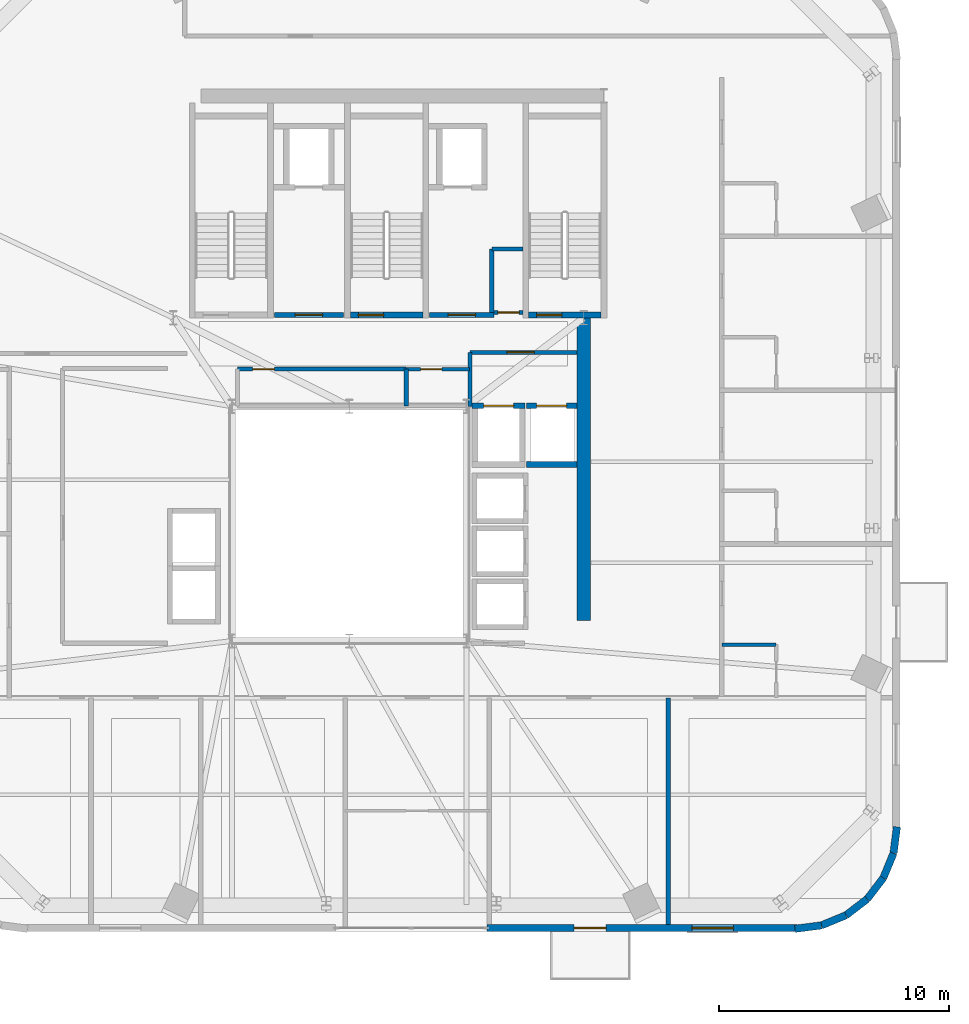
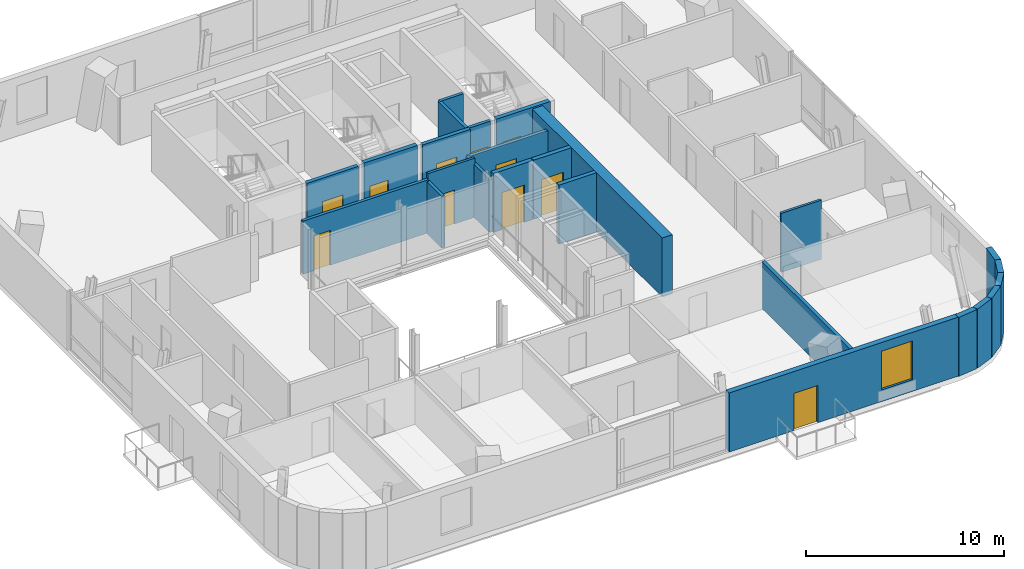
# One storey, part 7 of 14: 25 walls, 11 doors, 1 window, 12 openings.
"""IFC4 building model written with IfcOpenShell, lengths in metres."""

from ifc_helpers import new_model, si_unit, direction, frame, frame_2d, origin, place, context, subcontext, project, spatial, rectangle, extrude, source, transform, mapped, material, layer, layer_set, type_object, element, fill, save


model = new_model("IFC4")

# Units and contexts
model_context = context("Model", 3, precision=1e-05, world=origin(), true_north=direction((0.0, 1.0)))
body_context = subcontext(model_context, "Body", "Model", "MODEL_VIEW")
ifc_project = project(units=[si_unit("LENGTHUNIT", "METRE"), si_unit("AREAUNIT", "SQUARE_METRE"), si_unit("VOLUMEUNIT", "CUBIC_METRE"), si_unit("PLANEANGLEUNIT", "RADIAN"), si_unit("MASSUNIT", "GRAM", prefix="KILO")], contexts=[model_context])

# Site, building, storey
site_placement = place(None, origin())
site = spatial("IfcSite", under=ifc_project, at=site_placement, CompositionType="ELEMENT")
building_placement = place(site_placement, origin())
building = spatial("IfcBuilding", under=site, at=building_placement, Name="Vardaveli Station Tower", CompositionType="ELEMENT")
storey_placement = place(building_placement, frame((0.0, 0.0, 270.35009765625)))
storey = spatial("IfcBuildingStorey", under=building, at=storey_placement, Name="L69", CompositionType="ELEMENT", Elevation=270.35009765625)

# Wall
ifc_material_1 = material(Name="Concrete C50/60", Category="concrete")
ifc_layer_1 = layer(ifc_material_1, 0.60009765625, Name="Concrete C50/60")
ifc_layer_set_1 = layer_set([ifc_layer_1], Name="Concrete C50/60")
wall_type_1 = type_object("IfcWallType", Name="WAL-CORE-600", PredefinedType="SHEAR", material=ifc_layer_set_1)
shared_shape_1 = source(origin(), body_context, "Body", "SweptSolid", [
    extrude(rectangle(XDim=13.14990234375, YDim=0.60009765625, at=frame_2d((6.574951171875, 0.0))), origin(), (0.0, 0.0, 1.0), 3.64990234375),
])
wall_1_placement = place(storey_placement, frame((46.5, 17.5, 0.0), z_axis=(0.0, 0.0, 1.0), x_axis=(0.0, 1.0, 0.0)))
element("IfcWall", 1, at=wall_1_placement, inside=storey, type_object=wall_type_1, Name="SW-L69-EAST2", PredefinedType="SHEAR", context=body_context, shape_type="MappedRepresentation", body=[
    mapped(shared_shape_1, transform((0.0, 0.0, 0.0), scale=1.0)),
])

# Wall, openings, door, window
ifc_material_2 = material(Name="Precast concrete C45/55", Category="concrete")
ifc_layer_2 = layer(ifc_material_2, 0.320068359375, Name="Precast concrete C45/55")
ifc_layer_set_2 = layer_set([ifc_layer_2], Name="Precast concrete C45/55")
wall_type_2 = type_object("IfcWallType", Name="WAL-EXT-STONE-320", PredefinedType="SOLIDWALL", material=ifc_layer_set_2)
shared_shape_2 = source(origin(), body_context, "Body", "SweptSolid", [
    extrude(rectangle(XDim=13.47998046875, YDim=0.320068359375, at=frame_2d((6.739990234375, 0.0))), origin(), (0.0, 0.0, 1.0), 3.64990234375),
])
wall_2_placement = place(storey_placement, frame((42.300048828125, 4.1201171875, 0.0), z_axis=(0.0, 0.0, 1.0), x_axis=(1.0, 0.0, 0.0)))
wall_2 = element("IfcWall", 2, at=wall_2_placement, inside=storey, type_object=wall_type_2, Name="EW-L69-S2", PredefinedType="SOLIDWALL", context=body_context, shape_type="MappedRepresentation", body=[
    mapped(shared_shape_2, transform((0.0, 0.0, 0.0), scale=1.0)),
])
shared_shape_3 = source(origin(), body_context, "Body", "SweptSolid", [
    extrude(rectangle(XDim=1.39990234375, YDim=2.300048828125, at=frame_2d((0.699951171875, 1.14990234375))), frame((0.0, 0.169921875, 0.0), z_axis=(0.0, -1.0, 0.0), x_axis=(1.0, 0.0, 0.0)), (0.0, 0.0, 1.0), 0.340087890625),
])
opening_1_placement = place(wall_2_placement, frame((3.775390625, 0.0, 0.0)))
opening_1 = element("IfcOpeningElement", 3, at=opening_1_placement, cuts=wall_2, Name="Opening D-09", PredefinedType="OPENING", context=body_context, shape_type="MappedRepresentation", body=[
    mapped(shared_shape_3, transform((0.0, 0.0, 0.0), scale=1.0)),
])
shared_shape_4 = source(origin(), body_context, "Body", "SweptSolid", [
    extrude(rectangle(XDim=1.800048828125, YDim=2.39990234375, at=frame_2d((0.89990234375, 1.199951171875))), frame((0.0, 0.169921875, 0.0), z_axis=(0.0, -1.0, 0.0), x_axis=(1.0, 0.0, 0.0)), (0.0, 0.0, 1.0), 0.340087890625),
])
opening_2_placement = place(wall_2_placement, frame((8.89892578125, 0.0, 0.719970703125)))
opening_2 = element("IfcOpeningElement", 4, at=opening_2_placement, cuts=wall_2, Name="Opening W-05", PredefinedType="OPENING", context=body_context, shape_type="MappedRepresentation", body=[
    mapped(shared_shape_4, transform((0.0, 0.0, 0.0), scale=1.0)),
])
ifc_material_3 = material(Name="Thermally broken aluminium glass", Category="aluminium")
door_type_1 = type_object("IfcDoorType", Name="DR-LOG-1400x2300", OperationType="DOUBLE_DOOR_SLIDING", PredefinedType="DOOR", material=ifc_material_3)
shared_shape_5 = source(origin(), body_context, "Body", "SweptSolid", [
    extrude(rectangle(XDim=1.39990234375, YDim=2.300048828125, at=frame_2d((0.699951171875, 1.14990234375))), frame((0.0, 0.02490234375, 0.0), z_axis=(0.0, -1.0, 0.0), x_axis=(1.0, 0.0, 0.0)), (0.0, 0.0, 1.0), 0.050048828125),
])
door_1_placement = place(opening_1_placement, frame((1.39990234375, 0.0, 0.0), z_axis=(0.0, 0.0, 1.0), x_axis=(-1.0, 0.0, 0.0)))
door_1 = element("IfcDoor", 5, at=door_1_placement, inside=storey, type_object=door_type_1, Name="DLG-L69-S", OperationType="DOUBLE_DOOR_SLIDING", OverallHeight=2.300048828125, OverallWidth=1.39990234375, PredefinedType="DOOR", context=body_context, shape_type="MappedRepresentation", body=[
    mapped(shared_shape_5, transform((0.0, 0.0, 0.0), scale=1.0)),
])
fill(opening_1, door_1)
ifc_material_4 = material(Name="Low-E solar-control glass", Category="glass")
window_type = type_object("IfcWindowType", Name="WIN-HIGH-1800x2400", PartitioningType="SINGLE_PANEL", PredefinedType="WINDOW", material=ifc_material_4)
shared_shape_6 = source(origin(), body_context, "Body", "SweptSolid", [
    extrude(rectangle(XDim=1.800048828125, YDim=2.39990234375, at=frame_2d((0.89990234375, 1.199951171875))), frame((0.0, 0.030029296875, 0.0), z_axis=(0.0, -1.0, 0.0), x_axis=(1.0, 0.0, 0.0)), (0.0, 0.0, 1.0), 0.06005859375),
])
window_placement = place(opening_2_placement, origin())
window = element("IfcWindow", 6, at=window_placement, inside=storey, type_object=window_type, Name="WN-L69-S2", OverallHeight=2.39990234375, OverallWidth=1.800048828125, PartitioningType="SINGLE_PANEL", PredefinedType="WINDOW", context=body_context, shape_type="MappedRepresentation", body=[
    mapped(shared_shape_6, transform((0.0, 0.0, 0.0), scale=1.0)),
])
fill(opening_2, window)

# Walls
shared_shape_7 = source(origin(), body_context, "Body", "SweptSolid", [
    extrude(rectangle(XDim=1.159423828125, YDim=0.320068359375, at=frame_2d((0.57958984375, 0.0))), origin(), (0.0, 0.0, 1.0), 3.64990234375),
])
wall_3_placement = place(storey_placement, frame((59.966064453125, 7.369384765625, 0.0), z_axis=(0.0, 0.0, 1.0), x_axis=(0.128024787431, 0.991770968421, 0.0)))
element("IfcWall", 7, at=wall_3_placement, inside=storey, type_object=wall_type_2, Name="EW-L69-CR2-6", PredefinedType="SOLIDWALL", context=body_context, shape_type="MappedRepresentation", body=[
    mapped(shared_shape_7, transform((0.0, 0.0, 0.0), scale=1.0)),
])
shared_shape_8 = source(origin(), body_context, "Body", "SweptSolid", [
    extrude(rectangle(XDim=1.158447265625, YDim=0.320068359375, at=frame_2d((0.5791015625, 0.0))), origin(), (0.0, 0.0, 1.0), 3.64990234375),
])
for number, where, z_axis, x_axis, name in (
    (8, (56.83056640625, 4.23388671875, 0.0), (0.0, 0.0, 1.0), (0.924560208776, 0.38103598301, 0.0), "EW-L69-CR2-2"),
    (9, (59.524658203125, 6.29833984375, 0.0), (0.0, 0.0, 1.0), (0.38103598301, 0.924560208776, 0.0), "EW-L69-CR2-5"),
):
    element("IfcWall", number, at=place(storey_placement, frame(where, z_axis=z_axis, x_axis=x_axis)), inside=storey, type_object=wall_type_2, Name=name, PredefinedType="SOLIDWALL", context=body_context, shape_type="MappedRepresentation", body=[
        mapped(shared_shape_8, transform((0.0, 0.0, 0.0), scale=1.0)),
    ])
shared_shape_9 = source(origin(), body_context, "Body", "SweptSolid", [
    extrude(rectangle(XDim=1.15771484375, YDim=0.320068359375, at=frame_2d((0.578857421875, 0.0))), origin(), (0.0, 0.0, 1.0), 3.64990234375),
])
for number, where, z_axis, x_axis, name in (
    (10, (57.901611328125, 4.67529296875, 0.0), (0.0, 0.0, 1.0), (0.793782830471, 0.608201297311, 0.0), "EW-L69-CR2-3"),
    (11, (58.820556640625, 5.37939453125, 0.0), (0.0, 0.0, 1.0), (0.608201297311, 0.793782830471, 0.0), "EW-L69-CR2-4"),
):
    element("IfcWall", number, at=place(storey_placement, frame(where, z_axis=z_axis, x_axis=x_axis)), inside=storey, type_object=wall_type_2, Name=name, PredefinedType="SOLIDWALL", context=body_context, shape_type="MappedRepresentation", body=[
        mapped(shared_shape_9, transform((0.0, 0.0, 0.0), scale=1.0)),
    ])
shared_shape_10 = source(origin(), body_context, "Body", "SweptSolid", [
    extrude(rectangle(XDim=1.1591796875, YDim=0.320068359375, at=frame_2d((0.57958984375, 0.0))), origin(), (0.0, 0.0, 1.0), 3.64990234375),
])
wall_4_placement = place(storey_placement, frame((55.680908203125, 4.08544921875, 0.0), z_axis=(0.0, 0.0, 1.0), x_axis=(0.991767516072, 0.128051528939, 0.0)))
element("IfcWall", 12, at=wall_4_placement, inside=storey, type_object=wall_type_2, Name="EW-L69-CR2-1", PredefinedType="SOLIDWALL", context=body_context, shape_type="MappedRepresentation", body=[
    mapped(shared_shape_10, transform((0.0, 0.0, 0.0), scale=1.0)),
])

# Wall, opening, door
ifc_material_5 = material(Name="Concrete C40/50", Category="concrete")
ifc_layer_3 = layer(ifc_material_5, 0.25, Name="Concrete C40/50")
ifc_layer_set_3 = layer_set([ifc_layer_3], Name="Concrete C40/50")
wall_type_3 = type_object("IfcWallType", Name="WAL-SHAFT-250", PredefinedType="SOLIDWALL", material=ifc_layer_set_3)
shared_shape_11 = source(origin(), body_context, "Body", "SweptSolid", [
    extrude(rectangle(XDim=3.14990234375, YDim=0.25, at=frame_2d((1.574951171875, 0.0))), origin(), (0.0, 0.0, 1.0), 3.75),
])
wall_5_placement = place(storey_placement, frame((36.35009765625, 30.77490234375, 0.0), z_axis=(0.0, 0.0, 1.0), x_axis=(1.0, 0.0, 0.0)))
wall_5 = element("IfcWall", 13, at=wall_5_placement, inside=storey, type_object=wall_type_3, Name="W-L69-ST-2S", PredefinedType="SOLIDWALL", context=body_context, shape_type="MappedRepresentation", body=[
    mapped(shared_shape_11, transform((0.0, 0.0, 0.0), scale=1.0)),
])
shared_shape_12 = source(origin(), body_context, "Body", "SweptSolid", [
    extrude(rectangle(XDim=1.10009765625, YDim=2.199951171875, at=frame_2d((0.550048828125, 1.10009765625))), frame((0.0, 0.135009765625, 0.0), z_axis=(0.0, -1.0, 0.0), x_axis=(1.0, 0.0, 0.0)), (0.0, 0.0, 1.0), 0.27001953125),
])
opening_3_placement = place(wall_5_placement, frame((0.35009765625, 0.0, 0.0)))
opening_3 = element("IfcOpeningElement", 14, at=opening_3_placement, cuts=wall_5, Name="Opening D-04", PredefinedType="OPENING", context=body_context, shape_type="MappedRepresentation", body=[
    mapped(shared_shape_12, transform((0.0, 0.0, 0.0), scale=1.0)),
])
ifc_material_6 = material(Name="Steel smokeproof fire doorset", Category="steel")
door_type_2 = type_object("IfcDoorType", Name="DR-ST-1100x2200", OperationType="NOTDEFINED", PredefinedType="DOOR", material=ifc_material_6)
shared_shape_13 = source(origin(), body_context, "Body", "SweptSolid", [
    extrude(rectangle(XDim=1.10009765625, YDim=2.199951171875, at=frame_2d((0.550048828125, 1.10009765625))), frame((0.0, 0.02490234375, 0.0), z_axis=(0.0, -1.0, 0.0), x_axis=(1.0, 0.0, 0.0)), (0.0, 0.0, 1.0), 0.050048828125),
])
door_2_placement = place(opening_3_placement, origin())
door_2 = element("IfcDoor", 15, at=door_2_placement, inside=storey, type_object=door_type_2, Name="DST-2-L69", OperationType="SINGLE_SWING_LEFT", OverallHeight=2.199951171875, OverallWidth=1.10009765625, PredefinedType="DOOR", context=body_context, shape_type="MappedRepresentation", body=[
    mapped(shared_shape_13, transform((0.0, 0.0, 0.0), scale=1.0)),
])
fill(opening_3, door_2)

wall_6_placement = place(storey_placement, frame((44.10009765625, 30.77490234375, 0.0), z_axis=(0.0, 0.0, 1.0), x_axis=(1.0, 0.0, 0.0)))
wall_6 = element("IfcWall", 16, at=wall_6_placement, inside=storey, type_object=wall_type_3, Name="W-L69-ST-3S", PredefinedType="SOLIDWALL", context=body_context, shape_type="MappedRepresentation", body=[
    mapped(shared_shape_11, transform((0.0, 0.0, 0.0), scale=1.0)),
])
opening_4_placement = place(wall_6_placement, frame((0.35009765625, 0.0, 0.0)))
opening_4 = element("IfcOpeningElement", 17, at=opening_4_placement, cuts=wall_6, Name="Opening D-04", PredefinedType="OPENING", context=body_context, shape_type="MappedRepresentation", body=[
    mapped(shared_shape_12, transform((0.0, 0.0, 0.0), scale=1.0)),
])
door_3_placement = place(opening_4_placement, origin())
door_3 = element("IfcDoor", 18, at=door_3_placement, inside=storey, type_object=door_type_2, Name="DST-3-L69", OperationType="SINGLE_SWING_LEFT", OverallHeight=2.199951171875, OverallWidth=1.10009765625, PredefinedType="DOOR", context=body_context, shape_type="MappedRepresentation", body=[
    mapped(shared_shape_13, transform((0.0, 0.0, 0.0), scale=1.0)),
])
fill(opening_4, door_3)

ifc_layer_4 = layer(ifc_material_5, 0.219970703125, Name="Concrete C40/50")
ifc_layer_set_4 = layer_set([ifc_layer_4], Name="Concrete C40/50")
wall_type_4 = type_object("IfcWallType", Name="WAL-FFLOBBY-220", PredefinedType="SOLIDWALL", material=ifc_layer_set_4)
shared_shape_14 = source(origin(), body_context, "Body", "SweptSolid", [
    extrude(rectangle(XDim=3.0, YDim=0.219970703125, at=frame_2d((1.5, 0.0))), origin(), (0.0, 0.0, 1.0), 3.64990234375),
])
wall_7_placement = place(storey_placement, frame((33.050048828125, 30.780029296875, 0.0), z_axis=(0.0, 0.0, 1.0), x_axis=(1.0, 0.0, 0.0)))
wall_7 = element("IfcWall", 19, at=wall_7_placement, inside=storey, type_object=wall_type_4, Name="W-L69-FFL1S", PredefinedType="SOLIDWALL", context=body_context, shape_type="MappedRepresentation", body=[
    mapped(shared_shape_14, transform((0.0, 0.0, 0.0), scale=1.0)),
])
shared_shape_15 = source(origin(), body_context, "Body", "SweptSolid", [
    extrude(rectangle(XDim=1.199951171875, YDim=2.199951171875, at=frame_2d((0.60009765625, 1.10009765625))), frame((0.0, 0.1201171875, 0.0), z_axis=(0.0, -1.0, 0.0), x_axis=(1.0, 0.0, 0.0)), (0.0, 0.0, 1.0), 0.239990234375),
])
opening_5_placement = place(wall_7_placement, frame((0.89990234375, 0.0, 0.0)))
opening_5 = element("IfcOpeningElement", 20, at=opening_5_placement, cuts=wall_7, Name="Opening D-03", PredefinedType="OPENING", context=body_context, shape_type="MappedRepresentation", body=[
    mapped(shared_shape_15, transform((0.0, 0.0, 0.0), scale=1.0)),
])
door_type_3 = type_object("IfcDoorType", Name="DR-FFL-1200x2200", OperationType="NOTDEFINED", PredefinedType="DOOR", material=ifc_material_6)
shared_shape_16 = source(origin(), body_context, "Body", "SweptSolid", [
    extrude(rectangle(XDim=1.199951171875, YDim=2.199951171875, at=frame_2d((0.60009765625, 1.10009765625))), frame((0.0, 0.02490234375, 0.0), z_axis=(0.0, -1.0, 0.0), x_axis=(1.0, 0.0, 0.0)), (0.0, 0.0, 1.0), 0.050048828125),
])
door_4_placement = place(opening_5_placement, origin())
door_4 = element("IfcDoor", 21, at=door_4_placement, inside=storey, type_object=door_type_3, Name="DFFL1-L69", OperationType="SINGLE_SWING_LEFT", OverallHeight=2.199951171875, OverallWidth=1.199951171875, PredefinedType="DOOR", context=body_context, shape_type="MappedRepresentation", body=[
    mapped(shared_shape_16, transform((0.0, 0.0, 0.0), scale=1.0)),
])
fill(opening_5, door_4)

shared_shape_17 = source(origin(), body_context, "Body", "SweptSolid", [
    extrude(rectangle(XDim=2.800048828125, YDim=0.219970703125, at=frame_2d((1.39990234375, 0.0))), origin(), (0.0, 0.0, 1.0), 3.64990234375),
])
wall_8_placement = place(storey_placement, frame((39.800048828125, 30.780029296875, 0.0), z_axis=(0.0, 0.0, 1.0), x_axis=(1.0, 0.0, 0.0)))
wall_8 = element("IfcWall", 22, at=wall_8_placement, inside=storey, type_object=wall_type_4, Name="W-L69-FFL2S", PredefinedType="SOLIDWALL", context=body_context, shape_type="MappedRepresentation", body=[
    mapped(shared_shape_17, transform((0.0, 0.0, 0.0), scale=1.0)),
])
opening_6_placement = place(wall_8_placement, frame((0.800048828125, 0.0, 0.0)))
opening_6 = element("IfcOpeningElement", 23, at=opening_6_placement, cuts=wall_8, Name="Opening D-03", PredefinedType="OPENING", context=body_context, shape_type="MappedRepresentation", body=[
    mapped(shared_shape_15, transform((0.0, 0.0, 0.0), scale=1.0)),
])
door_5_placement = place(opening_6_placement, origin())
door_5 = element("IfcDoor", 24, at=door_5_placement, inside=storey, type_object=door_type_3, Name="DFFL2-L69", OperationType="SINGLE_SWING_RIGHT", OverallHeight=2.199951171875, OverallWidth=1.199951171875, PredefinedType="DOOR", context=body_context, shape_type="MappedRepresentation", body=[
    mapped(shared_shape_16, transform((0.0, 0.0, 0.0), scale=1.0)),
])
fill(opening_6, door_5)

shared_shape_18 = source(origin(), body_context, "Body", "SweptSolid", [
    extrude(rectangle(XDim=2.300048828125, YDim=0.25, at=frame_2d((1.14990234375, 0.0))), origin(), (0.0, 0.0, 1.0), 3.64990234375),
])
wall_9_placement = place(storey_placement, frame((41.64990234375, 26.824951171875, 0.0), z_axis=(0.0, 0.0, 1.0), x_axis=(1.0, 0.0, 0.0)))
wall_9 = element("IfcWall", 25, at=wall_9_placement, inside=storey, type_object=wall_type_3, Name="SHW-SRV-01-L69-N", PredefinedType="SOLIDWALL", context=body_context, shape_type="MappedRepresentation", body=[
    mapped(shared_shape_18, transform((0.0, 0.0, 0.0), scale=1.0)),
])
shared_shape_19 = source(origin(), body_context, "Body", "SweptSolid", [
    extrude(rectangle(XDim=1.300048828125, YDim=2.300048828125, at=frame_2d((0.64990234375, 1.14990234375))), frame((0.0, 0.135009765625, 0.0), z_axis=(0.0, -1.0, 0.0), x_axis=(1.0, 0.0, 0.0)), (0.0, 0.0, 1.0), 0.27001953125),
])
opening_7_placement = place(wall_9_placement, frame((0.5, 0.0, 0.0)))
opening_7 = element("IfcOpeningElement", 26, at=opening_7_placement, cuts=wall_9, Name="Opening LD-03", PredefinedType="OPENING", context=body_context, shape_type="MappedRepresentation", body=[
    mapped(shared_shape_19, transform((0.0, 0.0, 0.0), scale=1.0)),
])
ifc_material_7 = material(Name="Brushed stainless steel", Category="steel")
door_type_4 = type_object("IfcDoorType", Name="DR-LD-1300x2300", OperationType="DOUBLE_DOOR_SLIDING", PredefinedType="DOOR", material=ifc_material_7)
shared_shape_20 = source(origin(), body_context, "Body", "SweptSolid", [
    extrude(rectangle(XDim=1.300048828125, YDim=2.300048828125, at=frame_2d((0.64990234375, 1.14990234375))), frame((0.0, 0.02490234375, 0.0), z_axis=(0.0, -1.0, 0.0), x_axis=(1.0, 0.0, 0.0)), (0.0, 0.0, 1.0), 0.050048828125),
])
door_6_placement = place(opening_7_placement, origin())
door_6 = element("IfcDoor", 27, at=door_6_placement, inside=storey, type_object=door_type_4, Name="LD-SRV-01-L69", OperationType="DOUBLE_DOOR_SLIDING", OverallHeight=2.300048828125, OverallWidth=1.300048828125, PredefinedType="DOOR", context=body_context, shape_type="MappedRepresentation", body=[
    mapped(shared_shape_20, transform((0.0, 0.0, 0.0), scale=1.0)),
])
fill(opening_7, door_6)

# Wall
shared_shape_21 = source(origin(), body_context, "Body", "SweptSolid", [
    extrude(rectangle(XDim=2.199951171875, YDim=0.25, at=frame_2d((1.10009765625, 0.0))), origin(), (0.0, 0.0, 1.0), 3.64990234375),
])
wall_10_placement = place(storey_placement, frame((44.0, 24.27490234375, 0.0), z_axis=(0.0, 0.0, 1.0), x_axis=(1.0, 0.0, 0.0)))
element("IfcWall", 28, at=wall_10_placement, inside=storey, type_object=wall_type_3, Name="SHW-SRV-02-L69-S", PredefinedType="SOLIDWALL", context=body_context, shape_type="MappedRepresentation", body=[
    mapped(shared_shape_21, transform((0.0, 0.0, 0.0), scale=1.0)),
])

# Wall, opening, door
wall_11_placement = place(storey_placement, frame((44.0, 26.824951171875, 0.0), z_axis=(0.0, 0.0, 1.0), x_axis=(1.0, 0.0, 0.0)))
wall_11 = element("IfcWall", 29, at=wall_11_placement, inside=storey, type_object=wall_type_3, Name="SHW-SRV-02-L69-N", PredefinedType="SOLIDWALL", context=body_context, shape_type="MappedRepresentation", body=[
    mapped(shared_shape_21, transform((0.0, 0.0, 0.0), scale=1.0)),
])
opening_8_placement = place(wall_11_placement, frame((0.449951171875, 0.0, 0.0)))
opening_8 = element("IfcOpeningElement", 30, at=opening_8_placement, cuts=wall_11, Name="Opening LD-03", PredefinedType="OPENING", context=body_context, shape_type="MappedRepresentation", body=[
    mapped(shared_shape_19, transform((0.0, 0.0, 0.0), scale=1.0)),
])
door_7_placement = place(opening_8_placement, origin())
door_7 = element("IfcDoor", 31, at=door_7_placement, inside=storey, type_object=door_type_4, Name="LD-SRV-02-L69", OperationType="DOUBLE_DOOR_SLIDING", OverallHeight=2.300048828125, OverallWidth=1.300048828125, PredefinedType="DOOR", context=body_context, shape_type="MappedRepresentation", body=[
    mapped(shared_shape_20, transform((0.0, 0.0, 0.0), scale=1.0)),
])
fill(opening_8, door_7)

ifc_material_8 = material(Name="Fire-rated gypsum stud partition")
ifc_layer_5 = layer(ifc_material_8, 0.179931640625, Name="Fire-rated gypsum stud partition")
ifc_layer_set_5 = layer_set([ifc_layer_5], Name="Fire-rated gypsum stud partition")
wall_type_5 = type_object("IfcWallType", Name="WAL-CORR-180", PredefinedType="PARTITIONING", material=ifc_layer_set_5)
shared_shape_22 = source(origin(), body_context, "Body", "SweptSolid", [
    extrude(rectangle(XDim=4.64794921875, YDim=0.179931640625, at=frame_2d((2.323974609375, 0.0))), origin(), (0.0, 0.0, 1.0), 3.281982421875),
])
wall_12_placement = place(storey_placement, frame((41.550048828125, 29.14990234375, 0.0), z_axis=(0.0, 0.0, 1.0), x_axis=(1.0, 0.0, 0.0)))
wall_12 = element("IfcWall", 32, at=wall_12_placement, inside=storey, type_object=wall_type_5, Name="W-L69-SVFN", PredefinedType="PARTITIONING", context=body_context, shape_type="MappedRepresentation", body=[
    mapped(shared_shape_22, transform((0.0, 0.0, 0.0), scale=1.0)),
])
shared_shape_23 = source(origin(), body_context, "Body", "SweptSolid", [
    extrude(rectangle(XDim=1.199951171875, YDim=2.199951171875, at=frame_2d((0.60009765625, 1.10009765625))), frame((0.0, 0.10009765625, 0.0), z_axis=(0.0, -1.0, 0.0), x_axis=(1.0, 0.0, 0.0)), (0.0, 0.0, 1.0), 0.199951171875),
])
opening_9_placement = place(wall_12_placement, frame((1.60009765625, 0.0, 0.0)))
opening_9 = element("IfcOpeningElement", 33, at=opening_9_placement, cuts=wall_12, Name="Opening D-03", PredefinedType="OPENING", context=body_context, shape_type="MappedRepresentation", body=[
    mapped(shared_shape_23, transform((0.0, 0.0, 0.0), scale=1.0)),
])
door_8_placement = place(opening_9_placement, origin())
door_8 = element("IfcDoor", 34, at=door_8_placement, inside=storey, type_object=door_type_3, Name="D-L69-SVF", OperationType="SINGLE_SWING_RIGHT", OverallHeight=2.199951171875, OverallWidth=1.199951171875, PredefinedType="DOOR", context=body_context, shape_type="MappedRepresentation", body=[
    mapped(shared_shape_16, transform((0.0, 0.0, 0.0), scale=1.0)),
])
fill(opening_9, door_8)

# Walls
ifc_material_9 = material(Name="Moisture-resistant stud partition")
ifc_layer_6 = layer(ifc_material_9, 0.14990234375, Name="Moisture-resistant stud partition")
ifc_layer_set_6 = layer_set([ifc_layer_6], Name="Moisture-resistant stud partition")
wall_type_6 = type_object("IfcWallType", Name="WAL-WET-150", PredefinedType="PARTITIONING", material=ifc_layer_set_6)
shared_shape_24 = source(origin(), body_context, "Body", "SweptSolid", [
    extrude(rectangle(XDim=2.360107421875, YDim=0.14990234375, at=frame_2d((1.18017578125, 0.0))), origin(), (0.0, 0.0, 1.0), 3.64990234375),
])
wall_13_placement = place(storey_placement, frame((52.5, 16.43994140625, 0.0), z_axis=(0.0, 0.0, 1.0), x_axis=(1.0, 0.0, 0.0)))
element("IfcWall", 35, at=wall_13_placement, inside=storey, type_object=wall_type_6, Name="W-L69-BE1-N", PredefinedType="PARTITIONING", context=body_context, shape_type="MappedRepresentation", body=[
    mapped(shared_shape_24, transform((0.0, 0.0, 0.0), scale=1.0)),
])
shared_shape_25 = source(origin(), body_context, "Body", "SweptSolid", [
    extrude(rectangle(XDim=2.349853515625, YDim=0.179931640625, at=frame_2d((1.1748046875, 0.0))), origin(), (0.0, 0.0, 1.0), 3.281982421875),
])
wall_14_placement = place(storey_placement, frame((41.550048828125, 26.800048828125, 0.0), z_axis=(0.0, 0.0, 1.0), x_axis=(0.0, 1.0, 0.0)))
element("IfcWall", 36, at=wall_14_placement, inside=storey, type_object=wall_type_5, Name="W-L69-SVFW", PredefinedType="PARTITIONING", context=body_context, shape_type="MappedRepresentation", body=[
    mapped(shared_shape_25, transform((0.0, 0.0, 0.0), scale=1.0)),
])

# Wall, opening, door
shared_shape_26 = source(origin(), body_context, "Body", "SweptSolid", [
    extrude(rectangle(XDim=1.247802734375, YDim=0.179931640625, at=frame_2d((0.6240234375, 0.0))), origin(), (0.0, 0.0, 1.0), 3.64990234375),
])
wall_15_placement = place(storey_placement, frame((42.60009765625, 30.8798828125, 0.0), z_axis=(0.0, 0.0, 1.0), x_axis=(1.0, 0.0, 0.0)))
wall_15 = element("IfcWall", 37, at=wall_15_placement, inside=storey, type_object=wall_type_5, Name="W-L69-CBS0-S", PredefinedType="PARTITIONING", context=body_context, shape_type="MappedRepresentation", body=[
    mapped(shared_shape_26, transform((0.0, 0.0, 0.0), scale=1.0)),
])
shared_shape_27 = source(origin(), body_context, "Body", "SweptSolid", [
    extrude(rectangle(XDim=0.919921875, YDim=2.10009765625, at=frame_2d((0.4599609375, 1.050048828125))), frame((0.0, 0.10009765625, 0.0), z_axis=(0.0, -1.0, 0.0), x_axis=(1.0, 0.0, 0.0)), (0.0, 0.0, 1.0), 0.199951171875),
])
opening_10_placement = place(wall_15_placement, frame((0.1640625, 0.0, 0.0)))
opening_10 = element("IfcOpeningElement", 38, at=opening_10_placement, cuts=wall_15, Name="Opening D-07", PredefinedType="OPENING", context=body_context, shape_type="MappedRepresentation", body=[
    mapped(shared_shape_27, transform((0.0, 0.0, 0.0), scale=1.0)),
])
ifc_material_10 = material(Name="Moisture-resistant hardwood door", Category="wood")
door_type_5 = type_object("IfcDoorType", Name="DR-WC-920x2100", OperationType="NOTDEFINED", PredefinedType="DOOR", material=ifc_material_10)
shared_shape_28 = source(origin(), body_context, "Body", "SweptSolid", [
    extrude(rectangle(XDim=0.919921875, YDim=2.10009765625, at=frame_2d((0.4599609375, 1.050048828125))), frame((0.0, 0.02490234375, 0.0), z_axis=(0.0, -1.0, 0.0), x_axis=(1.0, 0.0, 0.0)), (0.0, 0.0, 1.0), 0.050048828125),
])
door_9_placement = place(opening_10_placement, origin())
door_9 = element("IfcDoor", 39, at=door_9_placement, inside=storey, type_object=door_type_5, Name="D-L69-CBS0", OperationType="SINGLE_SWING_LEFT", OverallHeight=2.10009765625, OverallWidth=0.919921875, PredefinedType="DOOR", context=body_context, shape_type="MappedRepresentation", body=[
    mapped(shared_shape_28, transform((0.0, 0.0, 0.0), scale=1.0)),
])
fill(opening_10, door_9)

# Walls
shared_shape_29 = source(origin(), body_context, "Body", "SweptSolid", [
    extrude(rectangle(XDim=1.599853515625, YDim=0.179931640625, at=frame_2d((0.7998046875, 0.0))), origin(), (0.0, 0.0, 1.0), 3.19189453125),
])
wall_16_placement = place(storey_placement, frame((38.780029296875, 26.820068359375, 0.0), z_axis=(0.0, 0.0, 1.0), x_axis=(0.0, 1.0, 0.0)))
element("IfcWall", 40, at=wall_16_placement, inside=storey, type_object=wall_type_5, Name="W-L69-HKP0-E", PredefinedType="PARTITIONING", context=body_context, shape_type="MappedRepresentation", body=[
    mapped(shared_shape_29, transform((0.0, 0.0, 0.0), scale=1.0)),
])
shared_shape_30 = source(origin(), body_context, "Body", "SweptSolid", [
    extrude(rectangle(XDim=1.347900390625, YDim=0.179931640625, at=frame_2d((0.673828125, 0.0))), origin(), (0.0, 0.0, 1.0), 3.64990234375),
])
wall_17_placement = place(storey_placement, frame((42.5, 33.64990234375, 0.0), z_axis=(0.0, 0.0, 1.0), x_axis=(1.0, 0.0, 0.0)))
element("IfcWall", 41, at=wall_17_placement, inside=storey, type_object=wall_type_5, Name="W-L69-CBS0-N", PredefinedType="PARTITIONING", context=body_context, shape_type="MappedRepresentation", body=[
    mapped(shared_shape_30, transform((0.0, 0.0, 0.0), scale=1.0)),
])

# Wall, opening, door
shared_shape_31 = source(origin(), body_context, "Body", "SweptSolid", [
    extrude(rectangle(XDim=7.330078125, YDim=0.179931640625, at=frame_2d((3.6650390625, 0.0))), origin(), (0.0, 0.0, 1.0), 3.281982421875),
])
wall_18_placement = place(storey_placement, frame((31.449951171875, 28.419921875, 0.0), z_axis=(0.0, 0.0, 1.0), x_axis=(1.0, 0.0, 0.0)))
wall_18 = element("IfcWall", 42, at=wall_18_placement, inside=storey, type_object=wall_type_5, Name="W-L69-HKP0-N", PredefinedType="PARTITIONING", context=body_context, shape_type="MappedRepresentation", body=[
    mapped(shared_shape_31, transform((0.0, 0.0, 0.0), scale=1.0)),
])
shared_shape_32 = source(origin(), body_context, "Body", "SweptSolid", [
    extrude(rectangle(XDim=0.949951171875, YDim=2.14990234375, at=frame_2d((0.47509765625, 1.074951171875))), frame((0.0, 0.10009765625, 0.0), z_axis=(0.0, -1.0, 0.0), x_axis=(1.0, 0.0, 0.0)), (0.0, 0.0, 1.0), 0.199951171875),
])
opening_11_placement = place(wall_18_placement, frame((0.64990234375, 0.0, 0.0)))
opening_11 = element("IfcOpeningElement", 43, at=opening_11_placement, cuts=wall_18, Name="Opening D-06", PredefinedType="OPENING", context=body_context, shape_type="MappedRepresentation", body=[
    mapped(shared_shape_32, transform((0.0, 0.0, 0.0), scale=1.0)),
])
ifc_material_11 = material(Name="Oak veneer acoustic fire door")
door_type_6 = type_object("IfcDoorType", Name="DR-GUEST-950x2150", OperationType="NOTDEFINED", PredefinedType="DOOR", material=ifc_material_11)
shared_shape_33 = source(origin(), body_context, "Body", "SweptSolid", [
    extrude(rectangle(XDim=0.949951171875, YDim=2.14990234375, at=frame_2d((0.47509765625, 1.074951171875))), frame((0.0, 0.02490234375, 0.0), z_axis=(0.0, -1.0, 0.0), x_axis=(1.0, 0.0, 0.0)), (0.0, 0.0, 1.0), 0.050048828125),
])
door_10_placement = place(opening_11_placement, origin())
door_10 = element("IfcDoor", 44, at=door_10_placement, inside=storey, type_object=door_type_6, Name="D-L69-HKP", OperationType="SINGLE_SWING_LEFT", OverallHeight=2.14990234375, OverallWidth=0.949951171875, PredefinedType="DOOR", context=body_context, shape_type="MappedRepresentation", body=[
    mapped(shared_shape_33, transform((0.0, 0.0, 0.0), scale=1.0)),
])
fill(opening_11, door_10)

shared_shape_34 = source(origin(), body_context, "Body", "SweptSolid", [
    extrude(rectangle(XDim=2.739990234375, YDim=0.14990234375, at=frame_2d((1.3701171875, 0.0))), origin(), (0.0, 0.0, 1.0), 3.64990234375),
])
wall_19_placement = place(storey_placement, frame((38.780029296875, 28.419921875, 0.0), z_axis=(0.0, 0.0, 1.0), x_axis=(1.0, 0.0, 0.0)))
wall_19 = element("IfcWall", 45, at=wall_19_placement, inside=storey, type_object=wall_type_6, Name="W-L69-WCA0-N", PredefinedType="PARTITIONING", context=body_context, shape_type="MappedRepresentation", body=[
    mapped(shared_shape_34, transform((0.0, 0.0, 0.0), scale=1.0)),
])
shared_shape_35 = source(origin(), body_context, "Body", "SweptSolid", [
    extrude(rectangle(XDim=0.919921875, YDim=2.10009765625, at=frame_2d((0.4599609375, 1.050048828125))), frame((0.0, 0.0849609375, 0.0), z_axis=(0.0, -1.0, 0.0), x_axis=(1.0, 0.0, 0.0)), (0.0, 0.0, 1.0), 0.169921875),
])
opening_12_placement = place(wall_19_placement, frame((0.6298828125, 0.0, 0.0)))
opening_12 = element("IfcOpeningElement", 46, at=opening_12_placement, cuts=wall_19, Name="Opening D-07", PredefinedType="OPENING", context=body_context, shape_type="MappedRepresentation", body=[
    mapped(shared_shape_35, transform((0.0, 0.0, 0.0), scale=1.0)),
])
door_11_placement = place(opening_12_placement, origin())
door_11 = element("IfcDoor", 47, at=door_11_placement, inside=storey, type_object=door_type_5, Name="D-L69-WCA", OperationType="SINGLE_SWING_LEFT", OverallHeight=2.10009765625, OverallWidth=0.919921875, PredefinedType="DOOR", context=body_context, shape_type="MappedRepresentation", body=[
    mapped(shared_shape_28, transform((0.0, 0.0, 0.0), scale=1.0)),
])
fill(opening_12, door_11)

# Walls
shared_shape_36 = source(origin(), body_context, "Body", "SweptSolid", [
    extrude(rectangle(XDim=2.7578125, YDim=0.179931640625, at=frame_2d((1.37890625, 0.0))), origin(), (0.0, 0.0, 1.0), 3.64990234375),
])
wall_20_placement = place(storey_placement, frame((42.5, 30.89208984375, 0.0), z_axis=(0.0, 0.0, 1.0), x_axis=(0.0, 1.0, 0.0)))
element("IfcWall", 48, at=wall_20_placement, inside=storey, type_object=wall_type_5, Name="W-L69-CBS0-W", PredefinedType="PARTITIONING", context=body_context, shape_type="MappedRepresentation", body=[
    mapped(shared_shape_36, transform((0.0, 0.0, 0.0), scale=1.0)),
])
ifc_material_12 = material(Name="Acoustic twin-stud gypsum partition")
ifc_layer_7 = layer(ifc_material_12, 0.199951171875, Name="Acoustic twin-stud gypsum partition")
ifc_layer_set_7 = layer_set([ifc_layer_7], Name="Acoustic twin-stud gypsum partition")
wall_type_7 = type_object("IfcWallType", Name="WAL-PARTY-200", PredefinedType="PARTITIONING", material=ifc_layer_set_7)
shared_shape_37 = source(origin(), body_context, "Body", "SweptSolid", [
    extrude(rectangle(XDim=9.847900390625, YDim=0.199951171875, at=frame_2d((4.923828125, 0.0))), origin(), (0.0, 0.0, 1.0), 2.891845703125),
])
wall_21_placement = place(storey_placement, frame((50.169921875, 4.281982421875, 0.0), z_axis=(0.0, 0.0, 1.0), x_axis=(0.0, 1.0, 0.0)))
element("IfcWall", 49, at=wall_21_placement, inside=storey, type_object=wall_type_7, Name="W-L69-PS5", PredefinedType="PARTITIONING", context=body_context, shape_type="MappedRepresentation", body=[
    mapped(shared_shape_37, transform((0.0, 0.0, 0.0), scale=1.0)),
])

save(model, "model.ifc")
